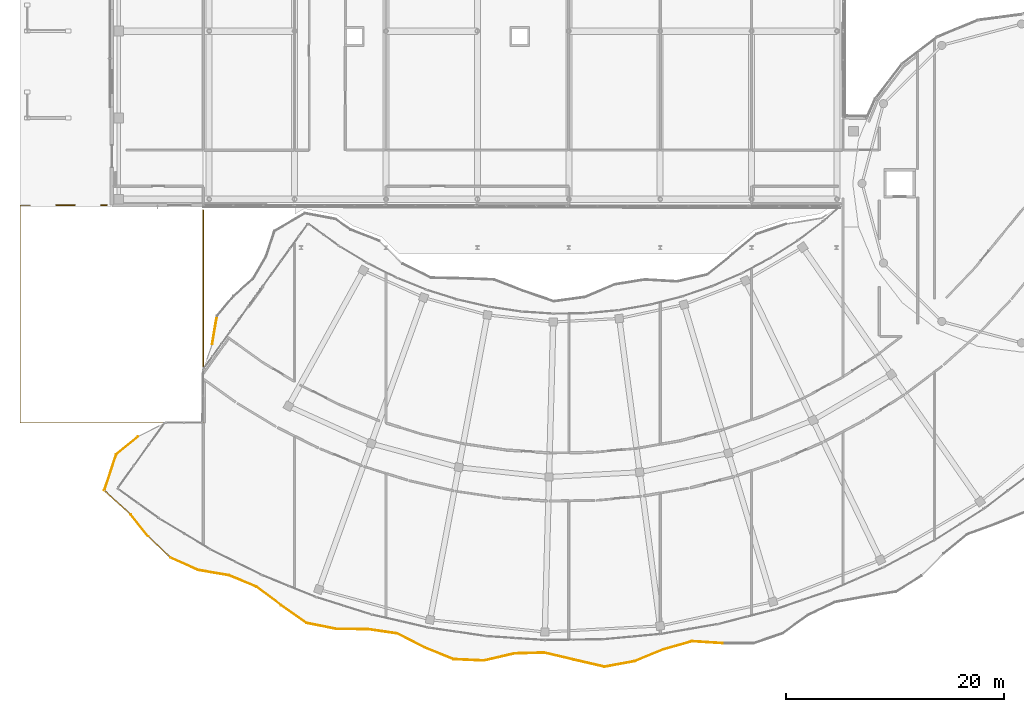
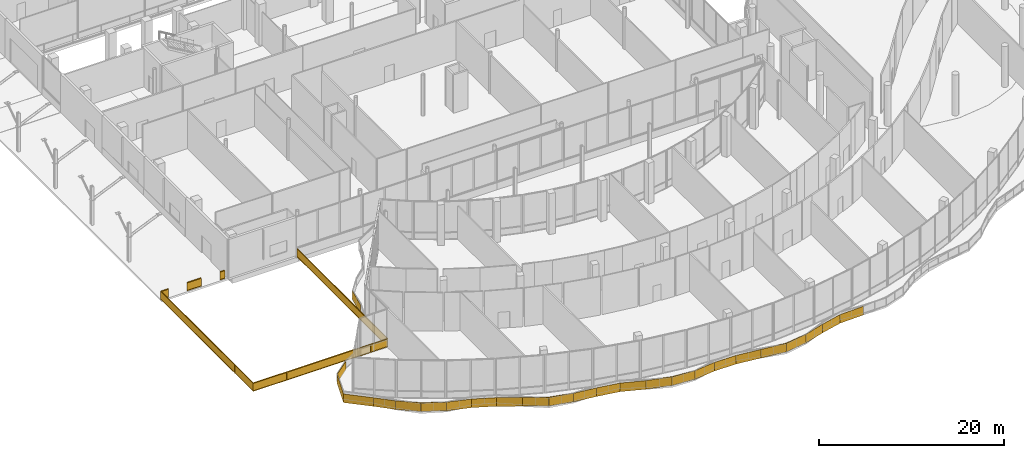
# One storey, part 147 of 158: 25 coverings, 4 railings.
"""IFC4 building model written with IfcOpenShell, lengths in metres."""

from ifc_helpers import new_model, si_unit, direction, frame, origin, origin_2d, place, context, subcontext, project, spatial, polyline, rectangle, outline, extrude, material, layer, layer_set, type_object, element, save


model = new_model("IFC4")

# Units and contexts
model_context = context("Model", 3, precision=1e-05, world=origin(), true_north=direction((0.0, 1.0)))
body_context = subcontext(model_context, "Body", "Model", "MODEL_VIEW")
ifc_project = project(units=[si_unit("LENGTHUNIT", "METRE"), si_unit("AREAUNIT", "SQUARE_METRE"), si_unit("VOLUMEUNIT", "CUBIC_METRE"), si_unit("PLANEANGLEUNIT", "RADIAN"), si_unit("MASSUNIT", "GRAM", prefix="KILO")], contexts=[model_context])

# Site, building, storey
site_placement = place(None, origin())
site = spatial("IfcSite", under=ifc_project, at=site_placement, CompositionType="ELEMENT")
building_placement = place(site_placement, origin())
building = spatial("IfcBuilding", under=site, at=building_placement, Name="Selatvlak General Hospital", CompositionType="ELEMENT")
storey_placement = place(building_placement, origin())
storey = spatial("IfcBuildingStorey", under=building, at=storey_placement, Name="L00", CompositionType="ELEMENT", Elevation=0.0)

# Coverings
ifc_material_1 = material(Name="PVDF aluminium fascia - oxide red", Category="aluminium")
ifc_layer = layer(ifc_material_1, 0.070068359375, Name="PVDF aluminium fascia - oxide red", Category="aluminium")
ifc_layer_set = layer_set([ifc_layer], Name="PVDF aluminium fascia - oxide red")
covering_type = type_object("IfcCoveringType", Name="COV-RB-RED", PredefinedType="CLADDING", material=ifc_layer_set)
covering_1_placement = place(storey_placement, frame((24.06689453125, 41.804931640625, -0.094970703125), z_axis=(0.0, 0.0, 1.0), x_axis=(-0.169651227354, -0.985504165926, 0.0)))
element("IfcCovering", 1, at=covering_1_placement, inside=storey, type_object=covering_type, Name="L00 De Stijl waving fascia streamer 008", PredefinedType="CLADDING", context=body_context, shape_type="SweptSolid", body=[
    extrude(outline(polyline([(0.0, 0.0), (2.6220703125, -0.197021484375), (2.6220703125, 0.94287109375), (0.0, 1.139892578125), (0.0, 0.0)])), frame((0.0, 0.03515625, 0.0), z_axis=(0.0, -1.0, 0.0), x_axis=(1.0, 0.0, 0.0)), (0.0, 0.0, 1.0), 0.070068359375),
])
covering_2_placement = place(storey_placement, frame((16.7890625, 30.72509765625, -0.181884765625), z_axis=(0.0, 0.0, 1.0), x_axis=(-0.771614653125, -0.636090266458, 0.0)))
element("IfcCovering", 2, at=covering_2_placement, inside=storey, type_object=covering_type, Name="L00 De Stijl waving fascia streamer 009", PredefinedType="CLADDING", context=body_context, shape_type="SweptSolid", body=[
    extrude(outline(polyline([(0.0, 0.0), (2.56884765625, 0.031005859375), (2.56884765625, 1.1708984375), (0.0, 1.139892578125), (0.0, 0.0)])), frame((0.0, 0.03515625, 0.0), z_axis=(0.0, -1.0, 0.0), x_axis=(1.0, 0.0, 0.0)), (0.0, 0.0, 1.0), 0.070068359375),
])
covering_3_placement = place(storey_placement, frame((14.80908203125, 29.096923828125, -0.15087890625), z_axis=(0.0, 0.0, 1.0), x_axis=(-0.312960220563, -0.949766234578, 0.0)))
element("IfcCovering", 3, at=covering_3_placement, inside=storey, type_object=covering_type, Name="L00 De Stijl waving fascia streamer 010", PredefinedType="CLADDING", context=body_context, shape_type="SweptSolid", body=[
    extrude(outline(polyline([(0.0, 0.0), (3.498779296875, -0.235107421875), (3.498779296875, 0.90478515625), (0.0, 1.139892578125), (0.0, 0.0)])), frame((0.0, 0.03515625, 0.0), z_axis=(0.0, -1.0, 0.0), x_axis=(1.0, 0.0, 0.0)), (0.0, 0.0, 1.0), 0.070068359375),
])
covering_4_placement = place(storey_placement, frame((13.7119140625, 25.783935546875, -0.385986328125), z_axis=(0.0, 0.0, 1.0), x_axis=(0.738253095373, -0.674523807713, 0.0)))
element("IfcCovering", 4, at=covering_4_placement, inside=storey, type_object=covering_type, Name="L00 De Stijl waving fascia streamer 011", PredefinedType="CLADDING", context=body_context, shape_type="SweptSolid", body=[
    extrude(outline(polyline([(0.0, 0.0), (3.29833984375, 0.00390625), (3.29833984375, 1.143798828125), (0.0, 1.139892578125), (0.0, 0.0)])), frame((0.0, 0.03515625, 0.0), z_axis=(0.0, -1.0, 0.0), x_axis=(1.0, 0.0, 0.0)), (0.0, 0.0, 1.0), 0.070068359375),
])
covering_5_placement = place(storey_placement, frame((16.14306640625, 23.56396484375, -0.382080078125), z_axis=(0.0, 0.0, 1.0), x_axis=(0.628019268259, -0.77819778893, 0.0)))
element("IfcCovering", 5, at=covering_5_placement, inside=storey, type_object=covering_type, Name="L00 De Stijl waving fascia streamer 012", PredefinedType="CLADDING", context=body_context, shape_type="SweptSolid", body=[
    extrude(outline(polyline([(0.0, 0.0), (2.55712890625, 0.22900390625), (2.55712890625, 1.368896484375), (0.0, 1.139892578125), (0.0, 0.0)])), frame((0.0, 0.03515625, 0.0), z_axis=(0.0, -1.0, 0.0), x_axis=(1.0, 0.0, 0.0)), (0.0, 0.0, 1.0), 0.070068359375),
])
covering_6_placement = place(storey_placement, frame((17.7490234375, 21.574951171875, -0.153076171875), z_axis=(0.0, 0.0, 1.0), x_axis=(0.719740942963, -0.694242734944, 0.0)))
element("IfcCovering", 6, at=covering_6_placement, inside=storey, type_object=covering_type, Name="L00 De Stijl waving fascia streamer 013", PredefinedType="CLADDING", context=body_context, shape_type="SweptSolid", body=[
    extrude(outline(polyline([(0.0, 0.0), (2.824462890625, 0.2080078125), (2.824462890625, 1.347900390625), (0.0, 1.139892578125), (0.0, 0.0)])), frame((0.0, 0.03515625, 0.0), z_axis=(0.0, -1.0, 0.0), x_axis=(1.0, 0.0, 0.0)), (0.0, 0.0, 1.0), 0.070068359375),
])
covering_7_placement = place(storey_placement, frame((19.781982421875, 19.614013671875, 0.054931640625), z_axis=(0.0, 0.0, 1.0), x_axis=(0.91258918261, -0.408877712504, 0.0)))
element("IfcCovering", 7, at=covering_7_placement, inside=storey, type_object=covering_type, Name="L00 De Stijl waving fascia streamer 014", PredefinedType="CLADDING", context=body_context, shape_type="SweptSolid", body=[
    extrude(outline(polyline([(0.0, 0.0), (2.793212890625, -0.113037109375), (2.793212890625, 1.02685546875), (0.0, 1.139892578125), (0.0, 0.0)])), frame((0.0, 0.03515625, 0.0), z_axis=(0.0, -1.0, 0.0), x_axis=(1.0, 0.0, 0.0)), (0.0, 0.0, 1.0), 0.070068359375),
])
covering_8_placement = place(storey_placement, frame((22.330078125, 18.471923828125, -0.05810546875), z_axis=(0.0, 0.0, 1.0), x_axis=(0.985401147104, -0.170248580866, 0.0)))
element("IfcCovering", 8, at=covering_8_placement, inside=storey, type_object=covering_type, Name="L00 De Stijl waving fascia streamer 015", PredefinedType="CLADDING", context=body_context, shape_type="SweptSolid", body=[
    extrude(outline(polyline([(0.0, 0.0), (2.895263671875, -0.27978515625), (2.895263671875, 0.860107421875), (0.0, 1.139892578125), (0.0, 0.0)])), frame((0.0, 0.03515625, 0.0), z_axis=(0.0, -1.0, 0.0), x_axis=(1.0, 0.0, 0.0)), (0.0, 0.0, 1.0), 0.070068359375),
])
covering_9_placement = place(storey_placement, frame((25.181884765625, 17.97998046875, -0.337890625), z_axis=(0.0, 0.0, 1.0), x_axis=(0.923327441972, -0.38401358687, 0.0)))
element("IfcCovering", 9, at=covering_9_placement, inside=storey, type_object=covering_type, Name="L00 De Stijl waving fascia streamer 016", PredefinedType="CLADDING", context=body_context, shape_type="SweptSolid", body=[
    extrude(outline(polyline([(0.0, 0.0), (2.737060546875, -0.06298828125), (2.737060546875, 1.076904296875), (0.0, 1.139892578125), (0.0, 0.0)])), frame((0.0, 0.03515625, 0.0), z_axis=(0.0, -1.0, 0.0), x_axis=(1.0, 0.0, 0.0)), (0.0, 0.0, 1.0), 0.070068359375),
])
covering_10_placement = place(storey_placement, frame((27.708984375, 16.928955078125, -0.40087890625), z_axis=(0.0, 0.0, 1.0), x_axis=(0.800819009753, -0.598906431438, 0.0)))
element("IfcCovering", 10, at=covering_10_placement, inside=storey, type_object=covering_type, Name="L00 De Stijl waving fascia streamer 017", PredefinedType="CLADDING", context=body_context, shape_type="SweptSolid", body=[
    extrude(outline(polyline([(0.0, 0.0), (2.8232421875, 0.23876953125), (2.8232421875, 1.378662109375), (0.0, 1.139892578125), (0.0, 0.0)])), frame((0.0, 0.03515625, 0.0), z_axis=(0.0, -1.0, 0.0), x_axis=(1.0, 0.0, 0.0)), (0.0, 0.0, 1.0), 0.070068359375),
])
covering_11_placement = place(storey_placement, frame((29.968994140625, 15.238037109375, -0.162109375), z_axis=(0.0, 0.0, 1.0), x_axis=(0.818456615325, -0.574568332604, 0.0)))
element("IfcCovering", 11, at=covering_11_placement, inside=storey, type_object=covering_type, Name="L00 De Stijl waving fascia streamer 018", PredefinedType="CLADDING", context=body_context, shape_type="SweptSolid", body=[
    extrude(outline(polyline([(0.0, 0.0), (2.85791015625, 0.215087890625), (2.85791015625, 1.35498046875), (0.0, 1.139892578125), (0.0, 0.0)])), frame((0.0, 0.03515625, 0.0), z_axis=(0.0, -1.0, 0.0), x_axis=(1.0, 0.0, 0.0)), (0.0, 0.0, 1.0), 0.070068359375),
])
covering_12_placement = place(storey_placement, frame((32.30810546875, 13.595947265625, 0.052978515625), z_axis=(0.0, 0.0, 1.0), x_axis=(0.980951134788, -0.194254655436, 0.0)))
element("IfcCovering", 12, at=covering_12_placement, inside=storey, type_object=covering_type, Name="L00 De Stijl waving fascia streamer 019", PredefinedType="CLADDING", context=body_context, shape_type="SweptSolid", body=[
    extrude(outline(polyline([(0.0, 0.0), (2.800048828125, -0.10302734375), (2.800048828125, 1.036865234375), (0.0, 1.139892578125), (0.0, 0.0)])), frame((0.0, 0.03515625, 0.0), z_axis=(0.0, -1.0, 0.0), x_axis=(1.0, 0.0, 0.0)), (0.0, 0.0, 1.0), 0.070068359375),
])
covering_13_placement = place(storey_placement, frame((35.053955078125, 13.052001953125, -0.050048828125), z_axis=(0.0, 0.0, 1.0), x_axis=(0.999975587311, -0.006987473213, 0.0)))
element("IfcCovering", 13, at=covering_13_placement, inside=storey, type_object=covering_type, Name="L00 De Stijl waving fascia streamer 020", PredefinedType="CLADDING", context=body_context, shape_type="SweptSolid", body=[
    extrude(outline(polyline([(0.0, 0.0), (2.864990234375, -0.280029296875), (2.864990234375, 0.85986328125), (0.0, 1.139892578125), (0.0, 0.0)])), frame((0.0, 0.03515625, 0.0), z_axis=(0.0, -1.0, 0.0), x_axis=(1.0, 0.0, 0.0)), (0.0, 0.0, 1.0), 0.070068359375),
])
covering_14_placement = place(storey_placement, frame((37.9189453125, 13.032958984375, -0.330078125), z_axis=(0.0, 0.0, 1.0), x_axis=(0.989509443554, -0.144468201061, 0.0)))
element("IfcCovering", 14, at=covering_14_placement, inside=storey, type_object=covering_type, Name="L00 De Stijl waving fascia streamer 021", PredefinedType="CLADDING", context=body_context, shape_type="SweptSolid", body=[
    extrude(outline(polyline([(0.0, 0.0), (2.747802734375, -0.074951171875), (2.747802734375, 1.06494140625), (0.0, 1.139892578125), (0.0, 0.0)])), frame((0.0, 0.03515625, 0.0), z_axis=(0.0, -1.0, 0.0), x_axis=(1.0, 0.0, 0.0)), (0.0, 0.0, 1.0), 0.070068359375),
])
covering_15_placement = place(storey_placement, frame((40.636962890625, 12.635986328125, -0.405029296875), z_axis=(0.0, 0.0, 1.0), x_axis=(0.889868376596, -0.456217352074, 0.0)))
element("IfcCovering", 15, at=covering_15_placement, inside=storey, type_object=covering_type, Name="L00 De Stijl waving fascia streamer 022", PredefinedType="CLADDING", context=body_context, shape_type="SweptSolid", body=[
    extrude(outline(polyline([(0.0, 0.0), (2.845458984375, 0.23291015625), (2.845458984375, 1.372802734375), (0.0, 1.139892578125), (0.0, 0.0)])), frame((0.0, 0.03515625, 0.0), z_axis=(0.0, -1.0, 0.0), x_axis=(1.0, 0.0, 0.0)), (0.0, 0.0, 1.0), 0.070068359375),
])
covering_16_placement = place(storey_placement, frame((43.16796875, 11.337890625, -0.172119140625), z_axis=(0.0, 0.0, 1.0), x_axis=(0.927309044119, -0.37429658921, 0.0)))
element("IfcCovering", 16, at=covering_16_placement, inside=storey, type_object=covering_type, Name="L00 De Stijl waving fascia streamer 023", PredefinedType="CLADDING", context=body_context, shape_type="SweptSolid", body=[
    extrude(outline(polyline([(0.0, 0.0), (2.83740234375, 0.22216796875), (2.83740234375, 1.362060546875), (0.0, 1.139892578125), (0.0, 0.0)])), frame((0.0, 0.03515625, 0.0), z_axis=(0.0, -1.0, 0.0), x_axis=(1.0, 0.0, 0.0)), (0.0, 0.0, 1.0), 0.070068359375),
])
covering_17_placement = place(storey_placement, frame((45.799072265625, 10.27587890625, 0.050048828125), z_axis=(0.0, 0.0, 1.0), x_axis=(0.998945838424, -0.045904377737, 0.0)))
element("IfcCovering", 17, at=covering_17_placement, inside=storey, type_object=covering_type, Name="L00 De Stijl waving fascia streamer 024", PredefinedType="CLADDING", context=body_context, shape_type="SweptSolid", body=[
    extrude(outline(polyline([(0.0, 0.0), (2.786865234375, -0.093017578125), (2.786865234375, 1.046875), (0.0, 1.139892578125), (0.0, 0.0)])), frame((0.0, 0.03515625, 0.0), z_axis=(0.0, -1.0, 0.0), x_axis=(1.0, 0.0, 0.0)), (0.0, 0.0, 1.0), 0.070068359375),
])
covering_18_placement = place(storey_placement, frame((48.58203125, 10.14794921875, -0.04296875), z_axis=(0.0, 0.0, 1.0), x_axis=(0.974194871017, 0.225708558286, 0.0)))
element("IfcCovering", 18, at=covering_18_placement, inside=storey, type_object=covering_type, Name="L00 De Stijl waving fascia streamer 025", PredefinedType="CLADDING", context=body_context, shape_type="SweptSolid", body=[
    extrude(outline(polyline([(0.0, 0.0), (2.897705078125, -0.280029296875), (2.897705078125, 0.85986328125), (0.0, 1.139892578125), (0.0, 0.0)])), frame((0.0, 0.03515625, 0.0), z_axis=(0.0, -1.0, 0.0), x_axis=(1.0, 0.0, 0.0)), (0.0, 0.0, 1.0), 0.070068359375),
])
covering_19_placement = place(storey_placement, frame((51.405029296875, 10.802001953125, -0.322998046875), z_axis=(0.0, 0.0, 1.0), x_axis=(0.999645298243, 0.026632268037, 0.0)))
element("IfcCovering", 19, at=covering_19_placement, inside=storey, type_object=covering_type, Name="L00 De Stijl waving fascia streamer 026", PredefinedType="CLADDING", context=body_context, shape_type="SweptSolid", body=[
    extrude(outline(polyline([(0.0, 0.0), (2.740966796875, -0.0849609375), (2.740966796875, 1.054931640625), (0.0, 1.139892578125), (0.0, 0.0)])), frame((0.0, 0.03515625, 0.0), z_axis=(0.0, -1.0, 0.0), x_axis=(1.0, 0.0, 0.0)), (0.0, 0.0, 1.0), 0.070068359375),
])
covering_20_placement = place(storey_placement, frame((54.14404296875, 10.875, -0.407958984375), z_axis=(0.0, 0.0, 1.0), x_axis=(0.973218850094, -0.229880555553, 0.0)))
element("IfcCovering", 20, at=covering_20_placement, inside=storey, type_object=covering_type, Name="L00 De Stijl waving fascia streamer 027", PredefinedType="CLADDING", context=body_context, shape_type="SweptSolid", body=[
    extrude(outline(polyline([(0.0, 0.0), (2.814453125, 0.22705078125), (2.814453125, 1.366943359375), (0.0, 1.139892578125), (0.0, 0.0)])), frame((0.0, 0.03515625, 0.0), z_axis=(0.0, -1.0, 0.0), x_axis=(1.0, 0.0, 0.0)), (0.0, 0.0, 1.0), 0.070068359375),
])
covering_21_placement = place(storey_placement, frame((56.883056640625, 10.22802734375, -0.180908203125), z_axis=(0.0, 0.0, 1.0), x_axis=(0.974129344301, -0.225991195784, 0.0)))
element("IfcCovering", 21, at=covering_21_placement, inside=storey, type_object=covering_type, Name="L00 De Stijl waving fascia streamer 028", PredefinedType="CLADDING", context=body_context, shape_type="SweptSolid", body=[
    extrude(outline(polyline([(0.0, 0.0), (2.8671875, 0.22802734375), (2.8671875, 1.367919921875), (0.0, 1.139892578125), (0.0, 0.0)])), frame((0.0, 0.03515625, 0.0), z_axis=(0.0, -1.0, 0.0), x_axis=(1.0, 0.0, 0.0)), (0.0, 0.0, 1.0), 0.070068359375),
])
covering_22_placement = place(storey_placement, frame((59.675048828125, 9.580078125, 0.047119140625), z_axis=(0.0, 0.0, 1.0), x_axis=(0.9838699101, 0.1788854382, 0.0)))
element("IfcCovering", 22, at=covering_22_placement, inside=storey, type_object=covering_type, Name="L00 De Stijl waving fascia streamer 029", PredefinedType="CLADDING", context=body_context, shape_type="SweptSolid", body=[
    extrude(outline(polyline([(0.0, 0.0), (2.795166015625, -0.08203125), (2.795166015625, 1.057861328125), (0.0, 1.139892578125), (0.0, 0.0)])), frame((0.0, 0.03515625, 0.0), z_axis=(0.0, -1.0, 0.0), x_axis=(1.0, 0.0, 0.0)), (0.0, 0.0, 1.0), 0.070068359375),
])
covering_23_placement = place(storey_placement, frame((62.424072265625, 10.080078125, -0.034912109375), z_axis=(0.0, 0.0, 1.0), x_axis=(0.92454583366, 0.381070861471, 0.0)))
element("IfcCovering", 23, at=covering_23_placement, inside=storey, type_object=covering_type, Name="L00 De Stijl waving fascia streamer 030", PredefinedType="CLADDING", context=body_context, shape_type="SweptSolid", body=[
    extrude(outline(polyline([(0.0, 0.0), (2.8681640625, -0.281005859375), (2.8681640625, 0.85888671875), (0.0, 1.139892578125), (0.0, 0.0)])), frame((0.0, 0.03515625, 0.0), z_axis=(0.0, -1.0, 0.0), x_axis=(1.0, 0.0, 0.0)), (0.0, 0.0, 1.0), 0.070068359375),
])
covering_24_placement = place(storey_placement, frame((65.075927734375, 11.173095703125, -0.31591796875), z_axis=(0.0, 0.0, 1.0), x_axis=(0.96247104081, 0.271384405597, 0.0)))
element("IfcCovering", 24, at=covering_24_placement, inside=storey, type_object=covering_type, Name="L00 De Stijl waving fascia streamer 031", PredefinedType="CLADDING", context=body_context, shape_type="SweptSolid", body=[
    extrude(outline(polyline([(0.0, 0.0), (2.755615234375, -0.094970703125), (2.755615234375, 1.044921875), (0.0, 1.139892578125), (0.0, 0.0)])), frame((0.0, 0.03515625, 0.0), z_axis=(0.0, -1.0, 0.0), x_axis=(1.0, 0.0, 0.0)), (0.0, 0.0, 1.0), 0.070068359375),
])
covering_25_placement = place(storey_placement, frame((67.72705078125, 11.9208984375, -0.410888671875), z_axis=(0.0, 0.0, 1.0), x_axis=(0.998023966983, -0.062834396056, 0.0)))
element("IfcCovering", 25, at=covering_25_placement, inside=storey, type_object=covering_type, Name="L00 De Stijl waving fascia streamer 032", PredefinedType="CLADDING", context=body_context, shape_type="SweptSolid", body=[
    extrude(outline(polyline([(0.0, 0.0), (2.83251953125, 0.220947265625), (2.83251953125, 1.36083984375), (0.0, 1.139892578125), (0.0, 0.0)])), frame((0.0, 0.03515625, 0.0), z_axis=(0.0, -1.0, 0.0), x_axis=(1.0, 0.0, 0.0)), (0.0, 0.0, 1.0), 0.070068359375),
])

# Railings
ifc_material_2 = material(Name="Stainless steel 316 perimeter guardrail", Category="steel")
railing_type = type_object("IfcRailingType", Name="RAIL-GRD1", PredefinedType="GUARDRAIL", material=ifc_material_2)
railing_1_placement = place(storey_placement, frame((22.800048828125, 32.0, 0.0)))
element("IfcRailing", 26, at=railing_1_placement, inside=storey, type_object=railing_type, Name="L00 forecourt continuous drop guard 01", PredefinedType="GUARDRAIL", context=body_context, shape_type="SweptSolid", body=[
    extrude(rectangle(XDim=0.068115234375, YDim=0.068115234375, at=origin_2d()), frame((0.0, 0.0029296875, 1.11572265625), z_axis=(0.0, 1.0, 0.0), x_axis=(-1.0, 0.0, 0.0)), (0.0, 0.0, 1.0), 19.544189453125),
    extrude(rectangle(XDim=0.068115234375, YDim=0.068115234375, at=origin_2d()), frame((0.0, 0.0029296875, 0.049072265625), z_axis=(0.0, 1.0, 0.0), x_axis=(-1.0, 0.0, 0.0)), (0.0, 0.0, 1.0), 19.544189453125),
    extrude(outline(polyline([(0.0, 0.0), (19.5380859375, 0.0), (19.5380859375, 0.9716796875), (0.0, 0.9716796875), (0.0, 0.0)])), frame((-0.01806640625, 0.006103515625, 0.0849609375), z_axis=(1.0, 0.0, 0.0), x_axis=(0.0, 1.0, 0.0)), (0.0, 0.0, 1.0), 0.031982421875),
    extrude(rectangle(XDim=0.055908203125, YDim=0.055908203125, at=origin_2d()), origin(), (0.0, 0.0, 1.0), 1.078857421875),
    extrude(rectangle(XDim=0.055908203125, YDim=0.055908203125, at=origin_2d()), frame((0.0, 2.172119140625, 0.0)), (0.0, 0.0, 1.0), 1.078857421875),
    extrude(rectangle(XDim=0.055908203125, YDim=0.055908203125, at=origin_2d()), frame((0.0, 4.344482421875, 0.0)), (0.0, 0.0, 1.0), 1.078857421875),
    extrude(rectangle(XDim=0.055908203125, YDim=0.055908203125, at=origin_2d()), frame((0.0, 6.5166015625, 0.0)), (0.0, 0.0, 1.0), 1.078857421875),
    extrude(rectangle(XDim=0.055908203125, YDim=0.055908203125, at=origin_2d()), frame((0.0, 8.68896484375, 0.0)), (0.0, 0.0, 1.0), 1.078857421875),
    extrude(rectangle(XDim=0.055908203125, YDim=0.055908203125, at=origin_2d()), frame((0.0, 10.861083984375, 0.0)), (0.0, 0.0, 1.0), 1.078857421875),
    extrude(rectangle(XDim=0.055908203125, YDim=0.055908203125, at=origin_2d()), frame((0.0, 13.033447265625, 0.0)), (0.0, 0.0, 1.0), 1.078857421875),
    extrude(rectangle(XDim=0.055908203125, YDim=0.055908203125, at=origin_2d()), frame((0.0, 15.20556640625, 0.0)), (0.0, 0.0, 1.0), 1.078857421875),
    extrude(rectangle(XDim=0.055908203125, YDim=0.055908203125, at=origin_2d()), frame((0.0, 17.3779296875, 0.0)), (0.0, 0.0, 1.0), 1.078857421875),
    extrude(rectangle(XDim=0.055908203125, YDim=0.055908203125, at=origin_2d()), frame((0.0, 19.550048828125, 0.0)), (0.0, 0.0, 1.0), 1.078857421875),
])
railing_2_placement = place(storey_placement, frame((13.949951171875, 52.0, 0.0)))
element("IfcRailing", 27, at=railing_2_placement, inside=storey, type_object=railing_type, Name="L00 forecourt continuous drop guard 02", PredefinedType="GUARDRAIL", context=body_context, shape_type="SweptSolid", body=[
    extrude(rectangle(XDim=0.068115234375, YDim=0.068115234375, at=origin_2d()), frame((-0.0029296875, 0.0, 1.11572265625), z_axis=(-1.0, 0.0, 0.0), x_axis=(0.0, -1.0, 0.0)), (0.0, 0.0, 1.0), 0.544189453125),
    extrude(rectangle(XDim=0.068115234375, YDim=0.068115234375, at=origin_2d()), frame((-0.0029296875, 0.0, 0.049072265625), z_axis=(-1.0, 0.0, 0.0), x_axis=(0.0, -1.0, 0.0)), (0.0, 0.0, 1.0), 0.544189453125),
    extrude(outline(polyline([(0.0, 0.0), (0.5380859375, 0.0), (0.5380859375, 0.9716796875), (0.0, 0.9716796875), (0.0, 0.0)])), frame((-0.006103515625, -0.01806640625, 0.0849609375), z_axis=(0.0, 1.0, 0.0), x_axis=(-1.0, 0.0, 0.0)), (0.0, 0.0, 1.0), 0.031982421875),
    extrude(rectangle(XDim=0.055908203125, YDim=0.055908203125, at=origin_2d()), origin(), (0.0, 0.0, 1.0), 1.078857421875),
    extrude(rectangle(XDim=0.055908203125, YDim=0.055908203125, at=origin_2d()), frame((-0.550048828125, 0.0, 0.0)), (0.0, 0.0, 1.0), 1.078857421875),
])
railing_3_placement = place(storey_placement, frame((11.0, 52.0, 0.0)))
element("IfcRailing", 28, at=railing_3_placement, inside=storey, type_object=railing_type, Name="L00 forecourt continuous drop guard 03", PredefinedType="GUARDRAIL", context=body_context, shape_type="SweptSolid", body=[
    extrude(rectangle(XDim=0.068115234375, YDim=0.068115234375, at=origin_2d()), frame((-0.0029296875, 0.0, 1.11572265625), z_axis=(-1.0, 0.0, 0.0), x_axis=(0.0, -1.0, 0.0)), (0.0, 0.0, 1.0), 1.694091796875),
    extrude(rectangle(XDim=0.068115234375, YDim=0.068115234375, at=origin_2d()), frame((-0.0029296875, 0.0, 0.049072265625), z_axis=(-1.0, 0.0, 0.0), x_axis=(0.0, -1.0, 0.0)), (0.0, 0.0, 1.0), 1.694091796875),
    extrude(outline(polyline([(0.0, 0.0), (1.68798828125, 0.0), (1.68798828125, 0.9716796875), (0.0, 0.9716796875), (0.0, 0.0)])), frame((-0.006103515625, -0.01806640625, 0.0849609375), z_axis=(0.0, 1.0, 0.0), x_axis=(-1.0, 0.0, 0.0)), (0.0, 0.0, 1.0), 0.031982421875),
    extrude(rectangle(XDim=0.055908203125, YDim=0.055908203125, at=origin_2d()), origin(), (0.0, 0.0, 1.0), 1.078857421875),
    extrude(rectangle(XDim=0.055908203125, YDim=0.055908203125, at=origin_2d()), frame((-1.699951171875, 0.0, 0.0)), (0.0, 0.0, 1.0), 1.078857421875),
])
railing_4_placement = place(storey_placement, frame((6.89990234375, 52.0, 0.0)))
element("IfcRailing", 29, at=railing_4_placement, inside=storey, type_object=railing_type, Name="L00 forecourt continuous drop guard 04", PredefinedType="GUARDRAIL", context=body_context, shape_type="SweptSolid", body=[
    extrude(rectangle(XDim=0.068115234375, YDim=0.068115234375, at=origin_2d()), frame((-0.0029296875, 0.0, 1.11572265625), z_axis=(-1.0, 0.0, 0.0), x_axis=(0.0, -1.0, 0.0)), (0.0, 0.0, 1.0), 0.89404296875),
    extrude(rectangle(XDim=0.068115234375, YDim=0.068115234375, at=origin_2d()), frame((-0.0029296875, 0.0, 0.049072265625), z_axis=(-1.0, 0.0, 0.0), x_axis=(0.0, -1.0, 0.0)), (0.0, 0.0, 1.0), 0.89404296875),
    extrude(outline(polyline([(0.0, 0.0), (0.887939453125, 0.0), (0.887939453125, 0.9716796875), (0.0, 0.9716796875), (0.0, 0.0)])), frame((-0.006103515625, -0.01806640625, 0.0849609375), z_axis=(0.0, 1.0, 0.0), x_axis=(-1.0, 0.0, 0.0)), (0.0, 0.0, 1.0), 0.031982421875),
    extrude(rectangle(XDim=0.068115234375, YDim=0.068115234375, at=origin_2d()), frame((-0.89990234375, -0.0029296875, 1.11572265625), z_axis=(0.0, -1.0, 0.0), x_axis=(1.0, 0.0, 0.0)), (0.0, 0.0, 1.0), 19.994140625),
    extrude(rectangle(XDim=0.068115234375, YDim=0.068115234375, at=origin_2d()), frame((-0.89990234375, -0.0029296875, 0.049072265625), z_axis=(0.0, -1.0, 0.0), x_axis=(1.0, 0.0, 0.0)), (0.0, 0.0, 1.0), 19.994140625),
    extrude(outline(polyline([(0.0, 0.0), (19.988037109375, 0.0), (19.988037109375, 0.9716796875), (0.0, 0.9716796875), (0.0, 0.0)])), frame((-0.8818359375, -0.006103515625, 0.0849609375), z_axis=(-1.0, 0.0, 0.0), x_axis=(0.0, -1.0, 0.0)), (0.0, 0.0, 1.0), 0.031982421875),
    extrude(rectangle(XDim=0.068115234375, YDim=0.068115234375, at=origin_2d()), frame((-0.89697265625, -20.0, 1.11572265625), z_axis=(1.0, 0.0, 0.0), x_axis=(0.0, 1.0, 0.0)), (0.0, 0.0, 1.0), 16.794189453125),
    extrude(rectangle(XDim=0.068115234375, YDim=0.068115234375, at=origin_2d()), frame((-0.89697265625, -20.0, 0.049072265625), z_axis=(1.0, 0.0, 0.0), x_axis=(0.0, 1.0, 0.0)), (0.0, 0.0, 1.0), 16.794189453125),
    extrude(outline(polyline([(0.0, 0.0), (16.7880859375, 0.0), (16.7880859375, 0.9716796875), (0.0, 0.9716796875), (0.0, 0.0)])), frame((-0.893798828125, -19.98193359375, 0.0849609375), z_axis=(0.0, -1.0, 0.0), x_axis=(1.0, 0.0, 0.0)), (0.0, 0.0, 1.0), 0.031982421875),
    extrude(rectangle(XDim=0.055908203125, YDim=0.055908203125, at=origin_2d()), origin(), (0.0, 0.0, 1.0), 1.078857421875),
    extrude(rectangle(XDim=0.055908203125, YDim=0.055908203125, at=origin_2d()), frame((-0.89990234375, 0.0, 0.0)), (0.0, 0.0, 1.0), 1.078857421875),
    extrude(rectangle(XDim=0.055908203125, YDim=0.055908203125, at=origin_2d()), frame((-0.89990234375, -2.0, 0.0)), (0.0, 0.0, 1.0), 1.078857421875),
    extrude(rectangle(XDim=0.055908203125, YDim=0.055908203125, at=origin_2d()), frame((-0.89990234375, -4.0, 0.0)), (0.0, 0.0, 1.0), 1.078857421875),
    extrude(rectangle(XDim=0.055908203125, YDim=0.055908203125, at=origin_2d()), frame((-0.89990234375, -6.0, 0.0)), (0.0, 0.0, 1.0), 1.078857421875),
    extrude(rectangle(XDim=0.055908203125, YDim=0.055908203125, at=origin_2d()), frame((-0.89990234375, -8.0, 0.0)), (0.0, 0.0, 1.0), 1.078857421875),
    extrude(rectangle(XDim=0.055908203125, YDim=0.055908203125, at=origin_2d()), frame((-0.89990234375, -10.0, 0.0)), (0.0, 0.0, 1.0), 1.078857421875),
    extrude(rectangle(XDim=0.055908203125, YDim=0.055908203125, at=origin_2d()), frame((-0.89990234375, -12.0, 0.0)), (0.0, 0.0, 1.0), 1.078857421875),
    extrude(rectangle(XDim=0.055908203125, YDim=0.055908203125, at=origin_2d()), frame((-0.89990234375, -14.0, 0.0)), (0.0, 0.0, 1.0), 1.078857421875),
    extrude(rectangle(XDim=0.055908203125, YDim=0.055908203125, at=origin_2d()), frame((-0.89990234375, -16.0, 0.0)), (0.0, 0.0, 1.0), 1.078857421875),
    extrude(rectangle(XDim=0.055908203125, YDim=0.055908203125, at=origin_2d()), frame((-0.89990234375, -18.0, 0.0)), (0.0, 0.0, 1.0), 1.078857421875),
    extrude(rectangle(XDim=0.055908203125, YDim=0.055908203125, at=origin_2d()), frame((-0.89990234375, -20.0, 0.0)), (0.0, 0.0, 1.0), 1.078857421875),
    extrude(rectangle(XDim=0.055908203125, YDim=0.055908203125, at=origin_2d()), frame((1.2001953125, -20.0, 0.0)), (0.0, 0.0, 1.0), 1.078857421875),
    extrude(rectangle(XDim=0.055908203125, YDim=0.055908203125, at=origin_2d()), frame((3.300048828125, -20.0, 0.0)), (0.0, 0.0, 1.0), 1.078857421875),
    extrude(rectangle(XDim=0.055908203125, YDim=0.055908203125, at=origin_2d()), frame((5.400146484375, -20.0, 0.0)), (0.0, 0.0, 1.0), 1.078857421875),
    extrude(rectangle(XDim=0.055908203125, YDim=0.055908203125, at=origin_2d()), frame((7.5, -20.0, 0.0)), (0.0, 0.0, 1.0), 1.078857421875),
    extrude(rectangle(XDim=0.055908203125, YDim=0.055908203125, at=origin_2d()), frame((9.60009765625, -20.0, 0.0)), (0.0, 0.0, 1.0), 1.078857421875),
    extrude(rectangle(XDim=0.055908203125, YDim=0.055908203125, at=origin_2d()), frame((11.7001953125, -20.0, 0.0)), (0.0, 0.0, 1.0), 1.078857421875),
    extrude(rectangle(XDim=0.055908203125, YDim=0.055908203125, at=origin_2d()), frame((13.800048828125, -20.0, 0.0)), (0.0, 0.0, 1.0), 1.078857421875),
    extrude(rectangle(XDim=0.055908203125, YDim=0.055908203125, at=origin_2d()), frame((15.900146484375, -20.0, 0.0)), (0.0, 0.0, 1.0), 1.078857421875),
])

save(model, "model.ifc")
